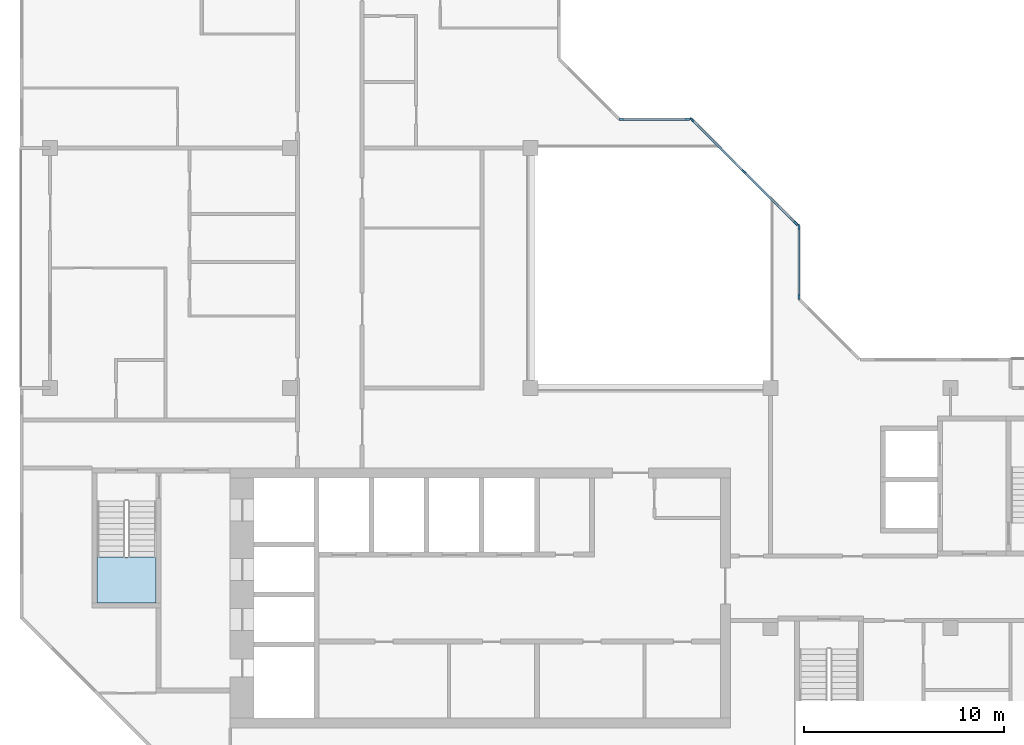
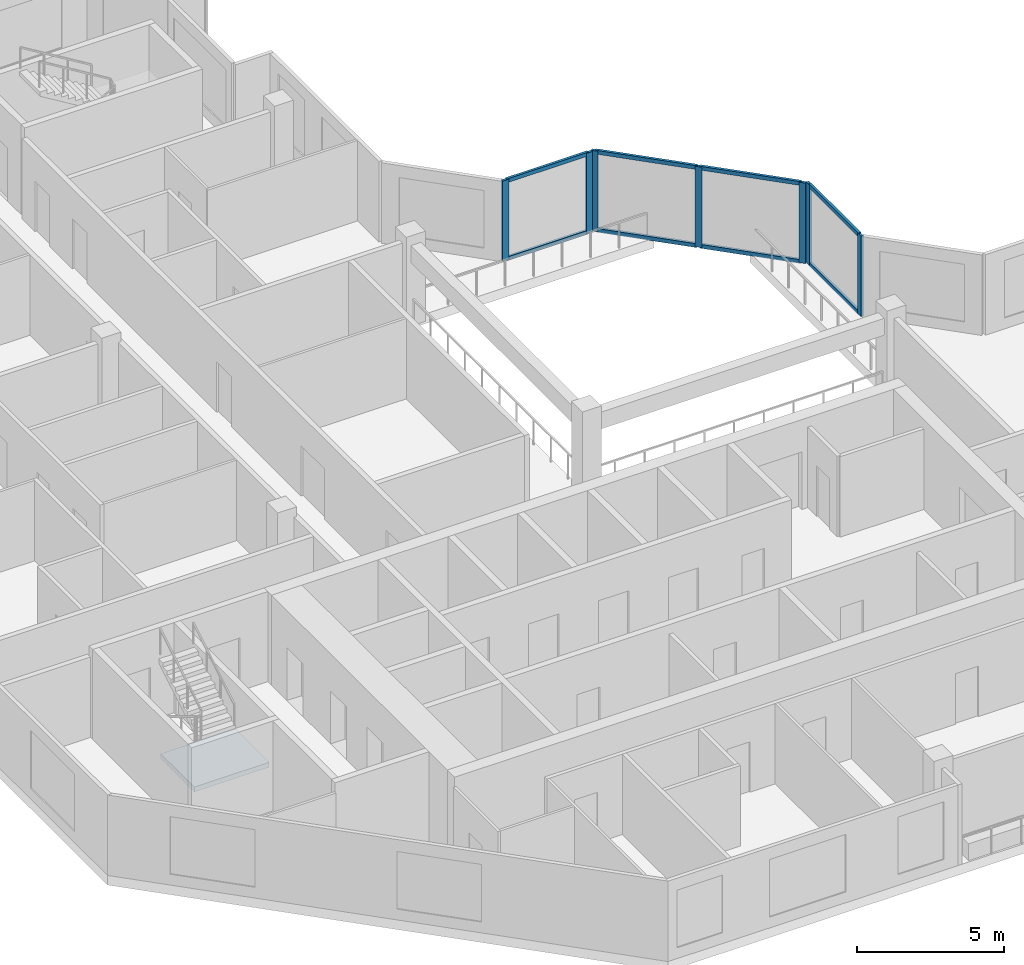
# One storey, part 2 of 12: 15 members, 1 slab, 4 elements without a shape of their own.
"""IFC4 building model written with IfcOpenShell, lengths in metres."""

from ifc_helpers import new_model, si_unit, direction, frame, origin, origin_2d, place, context, subcontext, project, spatial, polyline, rectangle, outline, extrude, material, layer, layer_set, material_profile, profile_set, type_object, element, aggregate, save


model = new_model("IFC4")

# Units and contexts
model_context = context("Model", 3, precision=1e-05, world=origin(), true_north=direction((0.0, 1.0)))
body_context = subcontext(model_context, "Body", "Model", "MODEL_VIEW")
ifc_project = project(units=[si_unit("LENGTHUNIT", "METRE"), si_unit("AREAUNIT", "SQUARE_METRE"), si_unit("VOLUMEUNIT", "CUBIC_METRE"), si_unit("PLANEANGLEUNIT", "RADIAN"), si_unit("MASSUNIT", "GRAM", prefix="KILO")], contexts=[model_context])

# Site, building, storey
site_placement = place(None, origin())
site = spatial("IfcSite", under=ifc_project, at=site_placement, CompositionType="ELEMENT")
building_placement = place(site_placement, origin())
building = spatial("IfcBuilding", under=site, at=building_placement, Name="Chenar Terraces", CompositionType="ELEMENT")
storey_placement = place(building_placement, frame((0.0, 0.0, 372.64990234375)))
storey = spatial("IfcBuildingStorey", under=building, at=storey_placement, Name="L87", CompositionType="ELEMENT", Elevation=372.64990234375)

# Curtain wall, members
ifc_material_1 = material(Name="Aluminium framed glazing", Category="aluminium")
ifc_layer_1 = layer(ifc_material_1, 0.14990234375)
ifc_layer_set_1 = layer_set([ifc_layer_1], Name="Aluminium framed glazing")
curtain_wall_type = type_object("IfcCurtainWallType", Name="Atrium upper-zone curtain wall", PredefinedType="NOTDEFINED", material=ifc_layer_set_1)
placement = place(storey_placement, origin())
curtain_wall_1 = element("IfcCurtainWall", 1, at=placement, inside=storey, type_object=curtain_wall_type, Name="Atrium upper-zone curtain wall", PredefinedType="NOTDEFINED")
ifc_material_2 = material(Name="Aluminium", Category="aluminium")
ifc_material_profile_1 = material_profile(ifc_material_2, rectangle(XDim=0.10009765625, YDim=0.239990234375, at=origin_2d()), Name="Atrium upper-zone glazing mullion 100 x 240")
ifc_profile_set_1 = profile_set([ifc_material_profile_1], Name="Aluminium")
member_type_1 = type_object("IfcMemberType", Name="Atrium upper-zone glazing mullion 100 x 240", PredefinedType="MULLION", material=ifc_profile_set_1)
member_1_placement = place(storey_placement, frame((37.425048828125, 28.550048828125, 0.0), z_axis=(0.0, 0.0, 1.0), x_axis=(-1.0, 0.0, 0.0)))
member_1 = element("IfcMember", 2, at=member_1_placement, type_object=member_type_1, Name="CW8-1 mullion 1", PredefinedType="MULLION", context=body_context, shape_type="SweptSolid", body=[
    extrude(rectangle(XDim=0.10009765625, YDim=0.239990234375, at=origin_2d()), origin(), (0.0, 0.0, 1.0), 3.35009765625),
])
member_2_placement = place(storey_placement, frame((37.425048828125, 32.050048828125, 0.0), z_axis=(0.0, 0.0, 1.0), x_axis=(-1.0, 0.0, 0.0)))
member_2 = element("IfcMember", 3, at=member_2_placement, type_object=member_type_1, Name="CW8-1 mullion 2", PredefinedType="MULLION", context=body_context, shape_type="SweptSolid", body=[
    extrude(rectangle(XDim=0.10009765625, YDim=0.239990234375, at=origin_2d()), origin(), (0.0, 0.0, 1.0), 3.35009765625),
])

curtain_wall_2 = element("IfcCurtainWall", 4, at=placement, inside=storey, type_object=curtain_wall_type, Name="Atrium upper-zone curtain wall", PredefinedType="NOTDEFINED")
member_3_placement = place(storey_placement, frame((37.270263671875, 32.2236328125, 0.0), z_axis=(0.0, 0.0, 1.0), x_axis=(-0.707106781187, -0.707106781187, 0.0)))
member_3 = element("IfcMember", 5, at=member_3_placement, type_object=member_type_1, Name="CW8-2 mullion 1", PredefinedType="MULLION", context=body_context, shape_type="SweptSolid", body=[
    extrude(rectangle(XDim=0.10009765625, YDim=0.239990234375, at=origin_2d()), origin(), (0.0, 0.0, 1.0), 3.35009765625),
])
member_4_placement = place(storey_placement, frame((34.67626953125, 34.817626953125, 0.0), z_axis=(0.0, 0.0, 1.0), x_axis=(-0.707106781187, -0.707106781187, 0.0)))
member_4 = element("IfcMember", 6, at=member_4_placement, type_object=member_type_1, Name="CW8-2 mullion 2", PredefinedType="MULLION", context=body_context, shape_type="SweptSolid", body=[
    extrude(rectangle(XDim=0.10009765625, YDim=0.239990234375, at=origin_2d()), origin(), (0.0, 0.0, 1.0), 3.35009765625),
])
member_5_placement = place(storey_placement, frame((32.082275390625, 37.41162109375, 0.0), z_axis=(0.0, 0.0, 1.0), x_axis=(-0.707106781187, -0.707106781187, 0.0)))
member_5 = element("IfcMember", 7, at=member_5_placement, type_object=member_type_1, Name="CW8-2 mullion 3", PredefinedType="MULLION", context=body_context, shape_type="SweptSolid", body=[
    extrude(rectangle(XDim=0.10009765625, YDim=0.239990234375, at=origin_2d()), origin(), (0.0, 0.0, 1.0), 3.35009765625),
])

curtain_wall_3 = element("IfcCurtainWall", 8, at=placement, inside=storey, type_object=curtain_wall_type, Name="Atrium upper-zone curtain wall", PredefinedType="NOTDEFINED")
member_6_placement = place(storey_placement, frame((31.85009765625, 37.425048828125, 0.0), z_axis=(0.0, 0.0, 1.0), x_axis=(0.0, -1.0, 0.0)))
member_6 = element("IfcMember", 9, at=member_6_placement, type_object=member_type_1, Name="CW8-3 mullion 1", PredefinedType="MULLION", context=body_context, shape_type="SweptSolid", body=[
    extrude(rectangle(XDim=0.10009765625, YDim=0.239990234375, at=origin_2d()), origin(), (0.0, 0.0, 1.0), 3.35009765625),
])
member_7_placement = place(storey_placement, frame((28.550048828125, 37.425048828125, 0.0), z_axis=(0.0, 0.0, 1.0), x_axis=(0.0, -1.0, 0.0)))
member_7 = element("IfcMember", 10, at=member_7_placement, type_object=member_type_1, Name="CW8-3 mullion 2", PredefinedType="MULLION", context=body_context, shape_type="SweptSolid", body=[
    extrude(rectangle(XDim=0.10009765625, YDim=0.239990234375, at=origin_2d()), origin(), (0.0, 0.0, 1.0), 3.35009765625),
])

# Member
ifc_material_3 = material(Name="Aluminium", Category="aluminium")
ifc_material_profile_2 = material_profile(ifc_material_3, rectangle(XDim=0.10009765625, YDim=0.159912109375, at=origin_2d()), Name="Atrium upper-zone glazing transom 100 x 160")
ifc_profile_set_2 = profile_set([ifc_material_profile_2], Name="Aluminium")
member_type_2 = type_object("IfcMemberType", Name="Atrium upper-zone glazing transom 100 x 160", PredefinedType="USERDEFINED", material=ifc_profile_set_2)
member_8_placement = place(storey_placement, frame((37.425048828125, 28.60009765625, 0.050048828125), z_axis=(0.0, 1.0, 0.0), x_axis=(-1.0, 0.0, 0.0)))
member_8 = element("IfcMember", 11, at=member_8_placement, type_object=member_type_2, Name="CW8-1 transom 1.1", ObjectType="TRANSOM", PredefinedType="USERDEFINED", context=body_context, shape_type="SweptSolid", body=[
    extrude(rectangle(XDim=0.10009765625, YDim=0.159912109375, at=origin_2d()), origin(), (0.0, 0.0, 1.0), 3.39990234375),
])

member_9_placement = place(storey_placement, frame((37.425048828125, 28.60009765625, 3.300048828125), z_axis=(0.0, 1.0, 0.0), x_axis=(-1.0, 0.0, 0.0)))
member_9 = element("IfcMember", 12, at=member_9_placement, type_object=member_type_2, Name="CW8-1 transom 1.2", ObjectType="TRANSOM", PredefinedType="USERDEFINED", context=body_context, shape_type="SweptSolid", body=[
    extrude(rectangle(XDim=0.10009765625, YDim=0.159912109375, at=origin_2d()), origin(), (0.0, 0.0, 1.0), 3.39990234375),
])

aggregate(curtain_wall_1, [member_1, member_2, member_8, member_9])

member_10_placement = place(storey_placement, frame((37.23486328125, 32.259033203125, 0.050048828125), z_axis=(-0.707106781187, 0.707106781187, 0.0), x_axis=(-0.707106781187, -0.707106781187, 0.0)))
member_10 = element("IfcMember", 13, at=member_10_placement, type_object=member_type_2, Name="CW8-2 transom 1.1", ObjectType="TRANSOM", PredefinedType="USERDEFINED", context=body_context, shape_type="SweptSolid", body=[
    extrude(rectangle(XDim=0.10009765625, YDim=0.159912109375, at=origin_2d()), origin(), (0.0, 0.0, 1.0), 3.568359375),
])

member_11_placement = place(storey_placement, frame((37.23486328125, 32.259033203125, 3.300048828125), z_axis=(-0.707106781187, 0.707106781187, 0.0), x_axis=(-0.707106781187, -0.707106781187, 0.0)))
member_11 = element("IfcMember", 14, at=member_11_placement, type_object=member_type_2, Name="CW8-2 transom 1.2", ObjectType="TRANSOM", PredefinedType="USERDEFINED", context=body_context, shape_type="SweptSolid", body=[
    extrude(rectangle(XDim=0.10009765625, YDim=0.159912109375, at=origin_2d()), origin(), (0.0, 0.0, 1.0), 3.568359375),
])

member_12_placement = place(storey_placement, frame((34.640869140625, 34.85302734375, 0.050048828125), z_axis=(-0.707106781187, 0.707106781187, 0.0), x_axis=(-0.707106781187, -0.707106781187, 0.0)))
member_12 = element("IfcMember", 15, at=member_12_placement, type_object=member_type_2, Name="CW8-2 transom 2.1", ObjectType="TRANSOM", PredefinedType="USERDEFINED", context=body_context, shape_type="SweptSolid", body=[
    extrude(rectangle(XDim=0.10009765625, YDim=0.159912109375, at=origin_2d()), origin(), (0.0, 0.0, 1.0), 3.568359375),
])

member_13_placement = place(storey_placement, frame((34.640869140625, 34.85302734375, 3.300048828125), z_axis=(-0.707106781187, 0.707106781187, 0.0), x_axis=(-0.707106781187, -0.707106781187, 0.0)))
member_13 = element("IfcMember", 16, at=member_13_placement, type_object=member_type_2, Name="CW8-2 transom 2.2", ObjectType="TRANSOM", PredefinedType="USERDEFINED", context=body_context, shape_type="SweptSolid", body=[
    extrude(rectangle(XDim=0.10009765625, YDim=0.159912109375, at=origin_2d()), origin(), (0.0, 0.0, 1.0), 3.568359375),
])

aggregate(curtain_wall_2, [member_3, member_4, member_5, member_10, member_11, member_12, member_13])

member_14_placement = place(storey_placement, frame((31.800048828125, 37.425048828125, 0.050048828125), z_axis=(-1.0, 0.0, 0.0), x_axis=(0.0, -1.0, 0.0)))
member_14 = element("IfcMember", 17, at=member_14_placement, type_object=member_type_2, Name="CW8-3 transom 1.1", ObjectType="TRANSOM", PredefinedType="USERDEFINED", context=body_context, shape_type="SweptSolid", body=[
    extrude(rectangle(XDim=0.10009765625, YDim=0.159912109375, at=origin_2d()), origin(), (0.0, 0.0, 1.0), 3.199951171875),
])

member_15_placement = place(storey_placement, frame((31.800048828125, 37.425048828125, 3.300048828125), z_axis=(-1.0, 0.0, 0.0), x_axis=(0.0, -1.0, 0.0)))
member_15 = element("IfcMember", 18, at=member_15_placement, type_object=member_type_2, Name="CW8-3 transom 1.2", ObjectType="TRANSOM", PredefinedType="USERDEFINED", context=body_context, shape_type="SweptSolid", body=[
    extrude(rectangle(XDim=0.10009765625, YDim=0.159912109375, at=origin_2d()), origin(), (0.0, 0.0, 1.0), 3.199951171875),
])

aggregate(curtain_wall_3, [member_6, member_7, member_14, member_15])

# Stair, slab
ifc_material_4 = material(Name="Reinforced concrete C40/50", Category="concrete")
stair_type = type_object("IfcStairType", Name="Core stair 1400 half-turn", PredefinedType="HALF_TURN_STAIR", material=ifc_material_4)
stair = element("IfcStair", 19, at=placement, inside=storey, type_object=stair_type, Name="L87 Stair 1", PredefinedType="HALF_TURN_STAIR")
ifc_material_5 = material(Name="Reinforced concrete C40/50", Category="concrete")
ifc_layer_2 = layer(ifc_material_5, 0.199951171875)
ifc_layer_set_2 = layer_set([ifc_layer_2], Name="Reinforced concrete C40/50")
slab_type = type_object("IfcSlabType", Name="Core stair landing 200", PredefinedType="LANDING", material=ifc_layer_set_2)
slab_placement = place(storey_placement, frame((0.0, 0.0, 1.675048828125)))
slab = element("IfcSlab", 20, at=slab_placement, type_object=slab_type, Name="ST1 landing 1", PredefinedType="LANDING", context=body_context, shape_type="SweptSolid", body=[
    extrude(outline(polyline([(2.35009765625, 15.550048828125), (2.35009765625, 13.25), (5.300048828125, 13.25), (5.300048828125, 15.550048828125), (2.35009765625, 15.550048828125)])), origin(), (0.0, 0.0, 1.0), 0.199951171875),
])
aggregate(stair, [slab])

save(model, "model.ifc")
